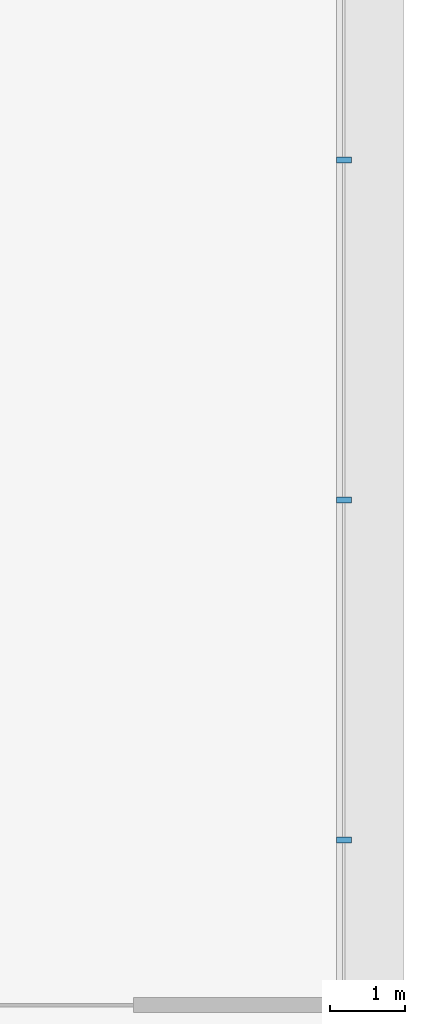
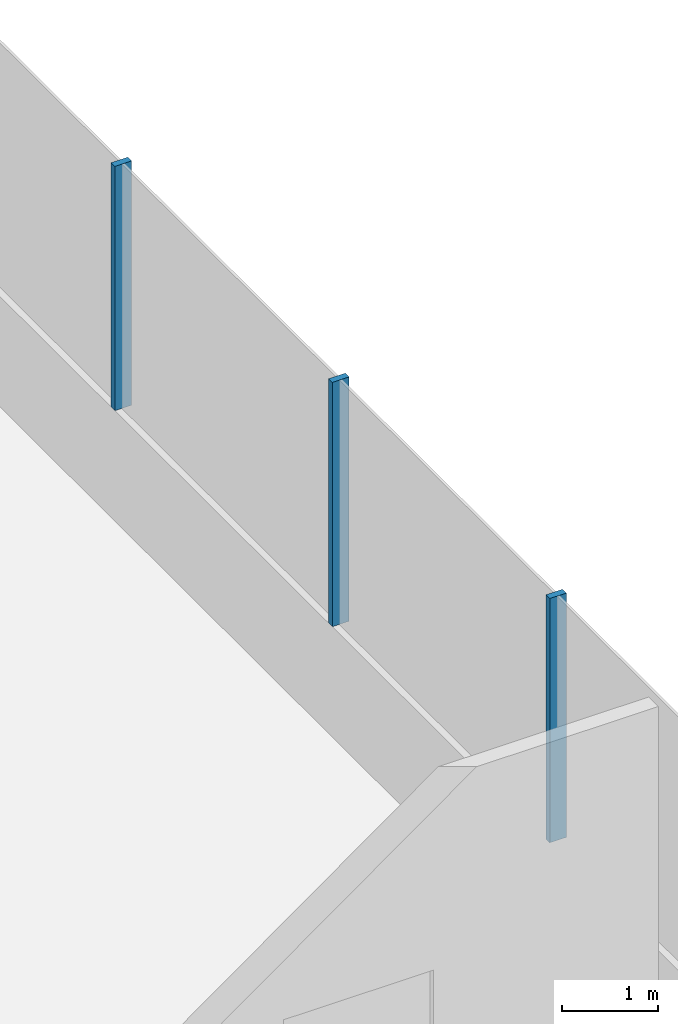
# One storey, part 17 of 44: 3 members, 1 element without a shape of its own.
"""IFC4 building model written with IfcOpenShell, lengths in metres."""

from ifc_helpers import new_model, si_unit, direction, frame, origin, origin_2d, place, context, subcontext, project, spatial, rectangle, extrude, material, layer, layer_set, material_profile, profile_set, type_object, element, aggregate, save


model = new_model("IFC4")

# Units and contexts
model_context = context("Model", 3, precision=1e-05, world=origin(), true_north=direction((0.0, 1.0)))
body_context = subcontext(model_context, "Body", "Model", "MODEL_VIEW")
ifc_project = project(units=[si_unit("LENGTHUNIT", "METRE"), si_unit("AREAUNIT", "SQUARE_METRE"), si_unit("VOLUMEUNIT", "CUBIC_METRE"), si_unit("PLANEANGLEUNIT", "RADIAN"), si_unit("MASSUNIT", "GRAM", prefix="KILO")], contexts=[model_context])

# Site, building, storey
site_placement = place(None, origin())
site = spatial("IfcSite", under=ifc_project, at=site_placement, CompositionType="ELEMENT")
building_placement = place(site_placement, origin())
building = spatial("IfcBuilding", under=site, at=building_placement, Name="Tamarind Cross Interchange Tower", CompositionType="ELEMENT")
storey_placement = place(building_placement, frame((0.0, 0.0, 15.0)))
storey = spatial("IfcBuildingStorey", under=building, at=storey_placement, Name="L02", CompositionType="ELEMENT", Elevation=15.0)

# Curtain wall, members
ifc_material = material(Name="Aluminium 6063-T6", Category="aluminium")
ifc_layer = layer(ifc_material, 0.199951171875)
ifc_layer_set = layer_set([ifc_layer], Name="Aluminium 6063-T6")
curtain_wall_type = type_object("IfcCurtainWallType", Name="Podium shopfront and station curtain wall", PredefinedType="NOTDEFINED", material=ifc_layer_set)
curtain_wall_placement = place(storey_placement, origin())
curtain_wall = element("IfcCurtainWall", 1, at=curtain_wall_placement, inside=storey, type_object=curtain_wall_type, Name="CWS-L02-00", PredefinedType="NOTDEFINED")
ifc_material_profile = material_profile(ifc_material, rectangle(XDim=0.080078125, YDim=0.199951171875, at=origin_2d()), Name="Mullion CW3")
ifc_profile_set = profile_set([ifc_material_profile], Name="Aluminium 6063-T6")
member_type = type_object("IfcMemberType", Name="Mullion CW3", PredefinedType="MULLION", material=ifc_profile_set)
member_1_placement = place(storey_placement, frame((65.800048828125, -11.301025390625, 1.39990234375), z_axis=(0.0, 0.0, 1.0), x_axis=(0.0, 1.0, 0.0)))
member_1 = element("IfcMember", 2, at=member_1_placement, type_object=member_type, Name="CWM-L02-00-09", PredefinedType="MULLION", context=body_context, shape_type="SweptSolid", body=[
    extrude(rectangle(XDim=0.080078125, YDim=0.199951171875, at=origin_2d()), origin(), (0.0, 0.0, 1.0), 3.10009765625),
])
member_2_placement = place(storey_placement, frame((65.800048828125, -6.780517578125, 1.39990234375), z_axis=(0.0, 0.0, 1.0), x_axis=(0.0, 1.0, 0.0)))
member_2 = element("IfcMember", 3, at=member_2_placement, type_object=member_type, Name="CWM-L02-00-10", PredefinedType="MULLION", context=body_context, shape_type="SweptSolid", body=[
    extrude(rectangle(XDim=0.080078125, YDim=0.199951171875, at=origin_2d()), origin(), (0.0, 0.0, 1.0), 3.10009765625),
])
member_3_placement = place(storey_placement, frame((65.800048828125, -2.26025390625, 1.39990234375), z_axis=(0.0, 0.0, 1.0), x_axis=(0.0, 1.0, 0.0)))
member_3 = element("IfcMember", 4, at=member_3_placement, type_object=member_type, Name="CWM-L02-00-11", PredefinedType="MULLION", context=body_context, shape_type="SweptSolid", body=[
    extrude(rectangle(XDim=0.080078125, YDim=0.199951171875, at=origin_2d()), origin(), (0.0, 0.0, 1.0), 3.10009765625),
])
aggregate(curtain_wall, [member_1, member_2, member_3])

save(model, "model.ifc")
